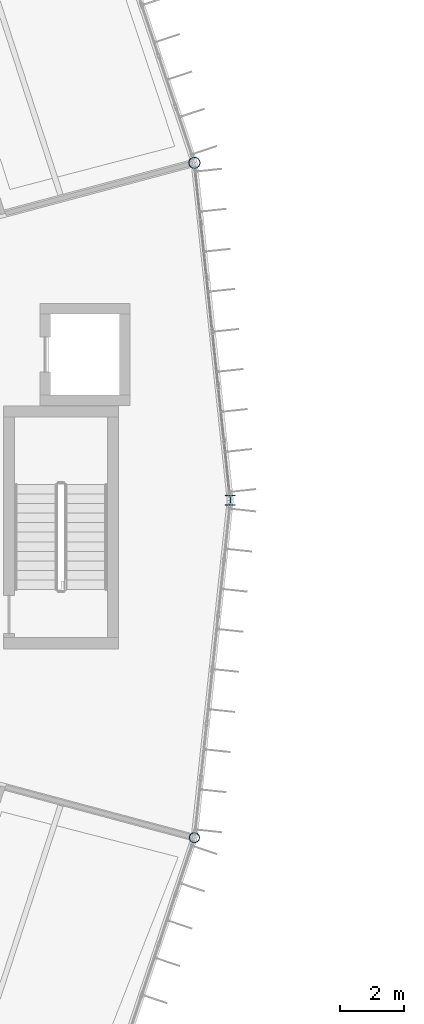
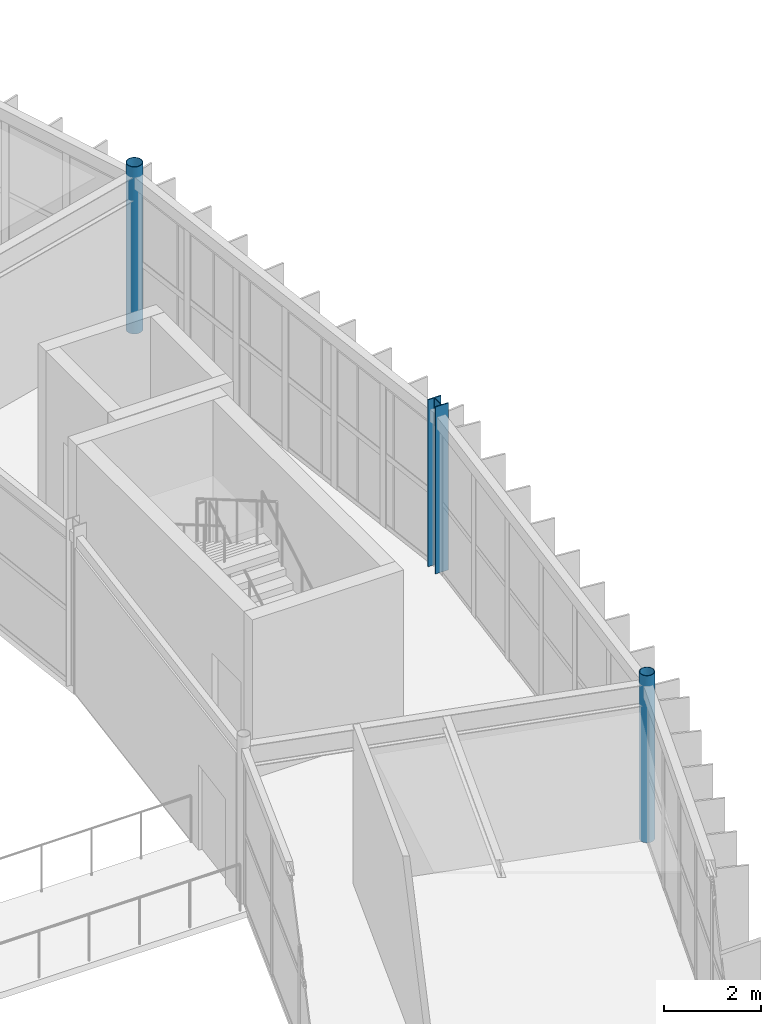
# One storey, part 10 of 147: 3 columns.
"""IFC4 building model written with IfcOpenShell, lengths in metres."""

from ifc_helpers import new_model, si_unit, direction, frame, origin, origin_2d, place, context, subcontext, project, spatial, hollow_circle, i_section, extrude, material, material_profile, profile_set, type_object, element, save


model = new_model("IFC4")

# Units and contexts
model_context = context("Model", 3, precision=1e-05, world=origin(), true_north=direction((0.0, 1.0)))
body_context = subcontext(model_context, "Body", "Model", "MODEL_VIEW")
ifc_project = project(units=[si_unit("LENGTHUNIT", "METRE"), si_unit("AREAUNIT", "SQUARE_METRE"), si_unit("VOLUMEUNIT", "CUBIC_METRE"), si_unit("PLANEANGLEUNIT", "RADIAN"), si_unit("MASSUNIT", "GRAM", prefix="KILO")], contexts=[model_context])

# Site, building, storey
site_placement = place(None, origin())
site = spatial("IfcSite", under=ifc_project, at=site_placement, CompositionType="ELEMENT")
building_placement = place(site_placement, origin())
building = spatial("IfcBuilding", under=site, at=building_placement, Name="Karori Crest Natural Sciences Institute", CompositionType="ELEMENT")
storey_placement = place(building_placement, frame((0.0, 0.0, 9.10009765625)))
storey = spatial("IfcBuildingStorey", under=building, at=storey_placement, Name="L02", CompositionType="ELEMENT", Elevation=9.10009765625)

# Columns
ifc_material_1 = material(Name="Structural steel AS/NZS 3679.1 Grade 350", Category="steel")
ifc_material_profile_1 = material_profile(ifc_material_1, i_section(OverallWidth=0.31103515625, OverallDepth=0.326904296875, WebThickness=0.015625, FlangeThickness=0.02490234375, FilletRadius=0.01708984375, at=origin_2d()), Name="310UC158")
ifc_profile_set_1 = profile_set([ifc_material_profile_1], Name="Structural steel AS/NZS 3679.1 Grade 350")
column_type_1 = type_object("IfcColumnType", Name="CT-04", PredefinedType="COLUMN", material=ifc_profile_set_1)
column_1_placement = place(storey_placement, frame((99.39990234375, 49.89990234375, 0.0), z_axis=(0.0, 0.0, 1.0), x_axis=(1.0, 0.0, 0.0)))
element("IfcColumn", 1, at=column_1_placement, inside=storey, type_object=column_type_1, Name="Column C-0007", PredefinedType="COLUMN", context=body_context, shape_type="SweptSolid", body=[
    extrude(i_section(OverallWidth=0.31103515625, OverallDepth=0.326904296875, WebThickness=0.015625, FlangeThickness=0.02490234375, FilletRadius=0.01708984375, at=origin_2d()), origin(), (0.0, 0.0, 1.0), 4.199951171875),
])
ifc_material_2 = material(Name="Hollow structural steel AS/NZS 1163 Grade C350", Category="steel")
ifc_material_profile_2 = material_profile(ifc_material_2, hollow_circle(Radius=0.177734375, WallThickness=0.0126953125, at=origin_2d()), Name="CHS355.6x12.7")
ifc_profile_set_2 = profile_set([ifc_material_profile_2], Name="Hollow structural steel AS/NZS 1163 Grade C350")
column_type_2 = type_object("IfcColumnType", Name="CT-14", PredefinedType="COLUMN", material=ifc_profile_set_2)
column_2_placement = place(storey_placement, frame((98.275634765625, 60.459716796875, 0.0), z_axis=(0.0, 0.0, 1.0), x_axis=(1.0, 0.0, 0.0)))
element("IfcColumn", 2, at=column_2_placement, inside=storey, type_object=column_type_2, Name="Column C-0025", PredefinedType="COLUMN", context=body_context, shape_type="SweptSolid", body=[
    extrude(hollow_circle(Radius=0.177734375, WallThickness=0.0126953125, at=origin_2d()), origin(), (0.0, 0.0, 1.0), 4.199951171875),
])
ifc_material_profile_3 = material_profile(ifc_material_2, hollow_circle(Radius=0.161865234375, WallThickness=0.0126953125, at=origin_2d()), Name="CHS323.9x12.7")
ifc_profile_set_3 = profile_set([ifc_material_profile_3], Name="Hollow structural steel AS/NZS 1163 Grade C350")
column_type_3 = type_object("IfcColumnType", Name="CT-15", PredefinedType="COLUMN", material=ifc_profile_set_3)
column_3_placement = place(storey_placement, frame((98.275634765625, 39.340087890625, 0.0), z_axis=(0.0, 0.0, 1.0), x_axis=(1.0, 0.0, 0.0)))
element("IfcColumn", 3, at=column_3_placement, inside=storey, type_object=column_type_3, Name="Column C-0385", PredefinedType="COLUMN", context=body_context, shape_type="SweptSolid", body=[
    extrude(hollow_circle(Radius=0.161865234375, WallThickness=0.0126953125, at=origin_2d()), origin(), (0.0, 0.0, 1.0), 4.199951171875),
])

save(model, "model.ifc")
